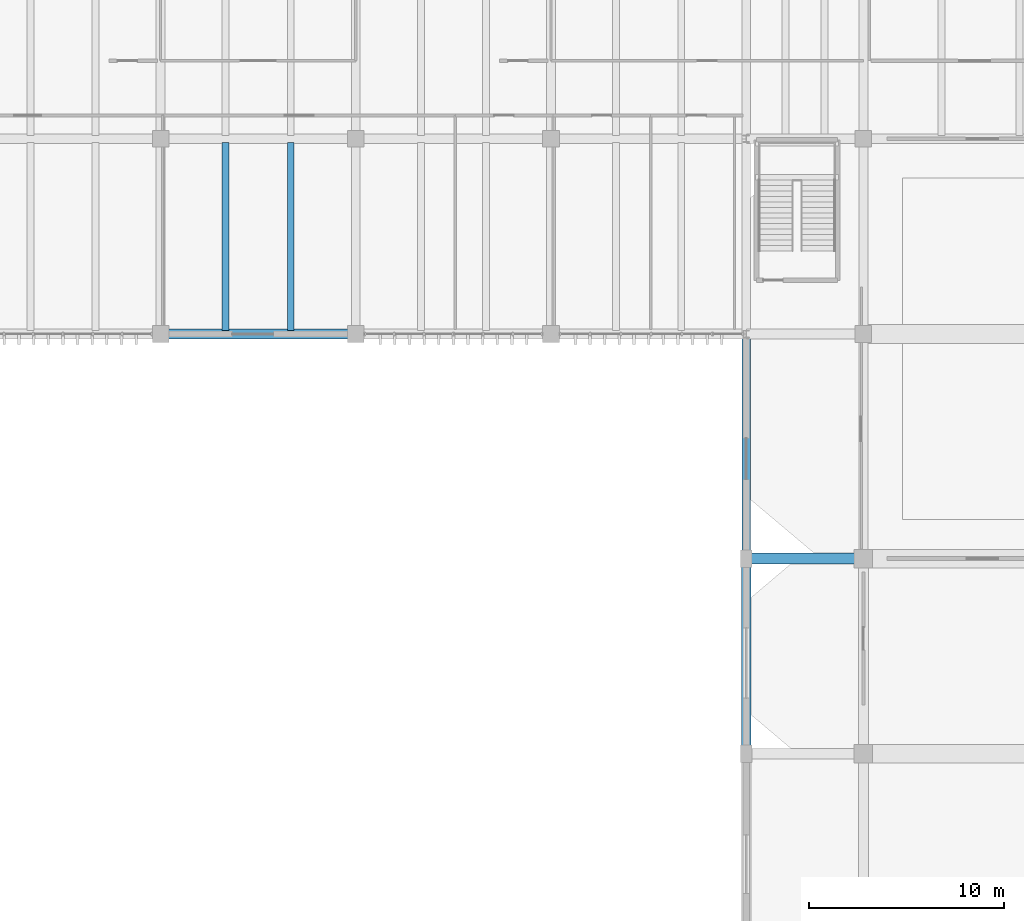
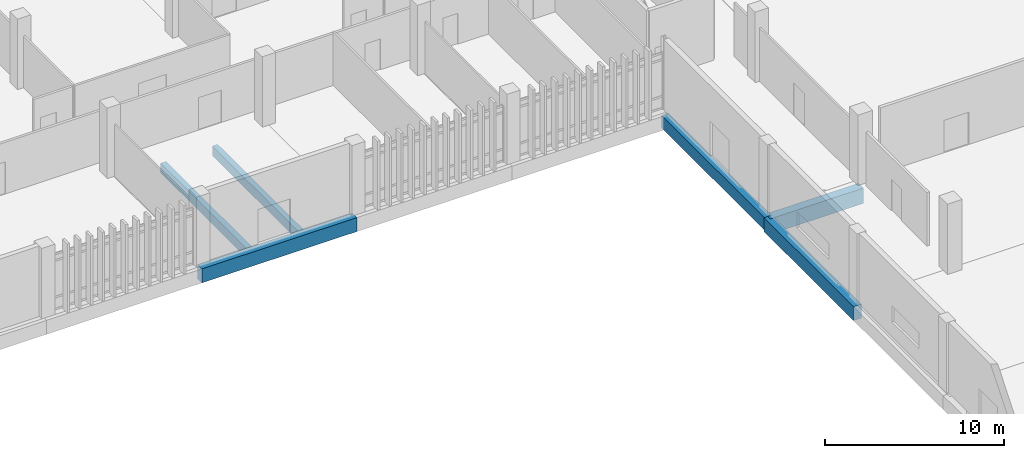
# One storey, part 43 of 87: 6 beams.
"""IFC4 building model written with IfcOpenShell, lengths in metres."""

from ifc_helpers import new_model, si_unit, direction, frame, origin, origin_2d, place, context, subcontext, project, spatial, rectangle, extrude, material, material_profile, profile_set, type_object, element, save


model = new_model("IFC4")

# Units and contexts
model_context = context("Model", 3, precision=1e-05, world=origin(), true_north=direction((0.0, 1.0)))
body_context = subcontext(model_context, "Body", "Model", "MODEL_VIEW")
ifc_project = project(units=[si_unit("LENGTHUNIT", "METRE"), si_unit("AREAUNIT", "SQUARE_METRE"), si_unit("VOLUMEUNIT", "CUBIC_METRE"), si_unit("PLANEANGLEUNIT", "RADIAN"), si_unit("MASSUNIT", "GRAM", prefix="KILO")], contexts=[model_context])

# Site, building, storey
site_placement = place(None, origin())
site = spatial("IfcSite", under=ifc_project, at=site_placement, CompositionType="ELEMENT")
building_placement = place(site_placement, origin())
building = spatial("IfcBuilding", under=site, at=building_placement, Name="Mersad Railyard Sports Hall", CompositionType="ELEMENT")
storey_placement = place(building_placement, origin())
storey = spatial("IfcBuildingStorey", under=building, at=storey_placement, Name="L00", CompositionType="ELEMENT", Elevation=0.0)

# Beams
ifc_material_1 = material(Name="Concrete C40/50", Category="concrete")
ifc_material_profile_1 = material_profile(ifc_material_1, rectangle(XDim=0.449951171875, YDim=0.85009765625, at=origin_2d()), Name="RC 450x850")
ifc_profile_set_1 = profile_set([ifc_material_profile_1], Name="Concrete C40/50")
beam_type_1 = type_object("IfcBeamType", Name="STR-BM-B02", PredefinedType="BEAM", material=ifc_profile_set_1)
beam_1_placement = place(storey_placement, frame((131.0, 73.5, -0.875), z_axis=(0.0, 1.0, 0.0), x_axis=(-1.0, 0.0, 0.0)))
element("IfcBeam", 1, at=beam_1_placement, inside=storey, type_object=beam_type_1, Name="Beam B02-0134", PredefinedType="BEAM", context=body_context, shape_type="SweptSolid", body=[
    extrude(rectangle(XDim=0.449951171875, YDim=0.85009765625, at=origin_2d()), origin(), (0.0, 0.0, 1.0), 11.5),
])
ifc_material_2 = material(Name="Concrete C50/60", Category="concrete")
ifc_material_profile_2 = material_profile(ifc_material_2, rectangle(XDim=0.5, YDim=0.949951171875, at=origin_2d()), Name="RC 500x950")
ifc_profile_set_2 = profile_set([ifc_material_profile_2], Name="Concrete C50/60")
beam_type_2 = type_object("IfcBeamType", Name="STR-BM-B03", PredefinedType="BEAM", material=ifc_profile_set_2)
for number, where, z_axis, x_axis, name in (
    (2, (131.0, 63.5, -0.925048828125), (0.0, 1.0, 0.0), (-1.0, 0.0, 0.0), "Beam B03-0107"),
    (3, (101.0, 85.0, -0.824951171875), (1.0, 0.0, 0.0), (0.0, 1.0, 0.0), "Beam B03-0147"),
):
    element("IfcBeam", number, at=place(storey_placement, frame(where, z_axis=z_axis, x_axis=x_axis)), inside=storey, type_object=beam_type_2, Name=name, PredefinedType="BEAM", context=body_context, shape_type="SweptSolid", body=[
        extrude(rectangle(XDim=0.5, YDim=0.949951171875, at=origin_2d()), origin(), (0.0, 0.0, 1.0), 10.0),
    ])
ifc_material_profile_3 = material_profile(ifc_material_2, rectangle(XDim=0.550048828125, YDim=1.050048828125, at=origin_2d()), Name="RC 550x1050")
ifc_profile_set_3 = profile_set([ifc_material_profile_3], Name="Concrete C50/60")
beam_type_3 = type_object("IfcBeamType", Name="STR-BM-B04", PredefinedType="BEAM", material=ifc_profile_set_3)
beam_2_placement = place(storey_placement, frame((131.0, 73.5, -0.97509765625), z_axis=(1.0, 0.0, 0.0), x_axis=(0.0, 1.0, 0.0)))
element("IfcBeam", 4, at=beam_2_placement, inside=storey, type_object=beam_type_3, Name="Beam B04-0102", PredefinedType="BEAM", context=body_context, shape_type="SweptSolid", body=[
    extrude(rectangle(XDim=0.550048828125, YDim=1.050048828125, at=origin_2d()), origin(), (0.0, 0.0, 1.0), 6.0),
])
ifc_material_profile_4 = material_profile(ifc_material_1, rectangle(XDim=0.35009765625, YDim=0.64990234375, at=origin_2d()), Name="RC 350x650")
ifc_profile_set_4 = profile_set([ifc_material_profile_4], Name="Concrete C40/50")
beam_type_4 = type_object("IfcBeamType", Name="STR-BM-J01", PredefinedType="JOIST", material=ifc_profile_set_4)
for number, where, z_axis, x_axis, name in (
    (5, (104.3330078125, 85.179931640625, -0.675048828125), (0.0, 1.0, 0.0), (-1.0, 0.0, 0.0), "Beam J01-0250"),
    (6, (107.6669921875, 85.179931640625, -0.675048828125), (0.0, 1.0, 0.0), (-1.0, 0.0, 0.0), "Beam J01-0251"),
):
    element("IfcBeam", number, at=place(storey_placement, frame(where, z_axis=z_axis, x_axis=x_axis)), inside=storey, type_object=beam_type_4, Name=name, PredefinedType="JOIST", context=body_context, shape_type="SweptSolid", body=[
        extrude(rectangle(XDim=0.35009765625, YDim=0.64990234375, at=origin_2d()), origin(), (0.0, 0.0, 1.0), 9.64013671875),
    ])

save(model, "model.ifc")
